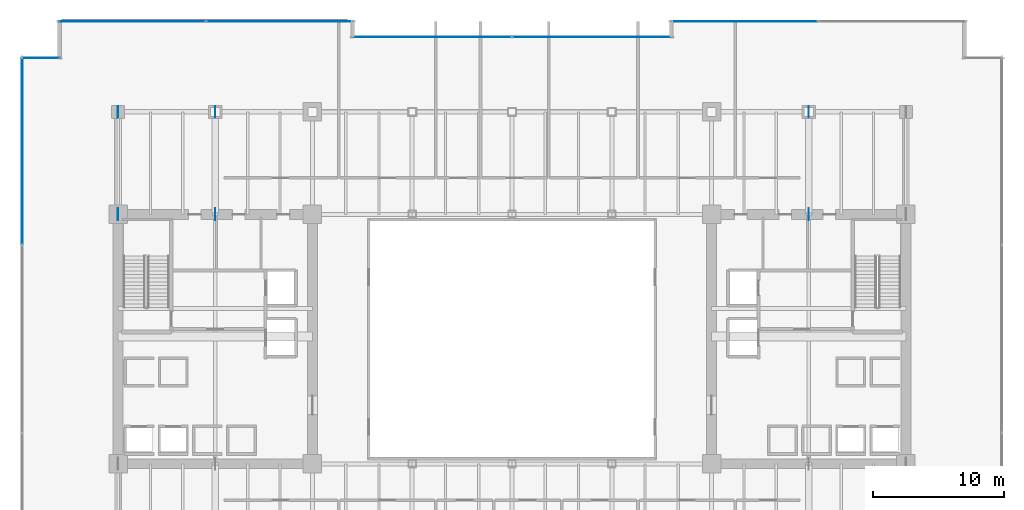
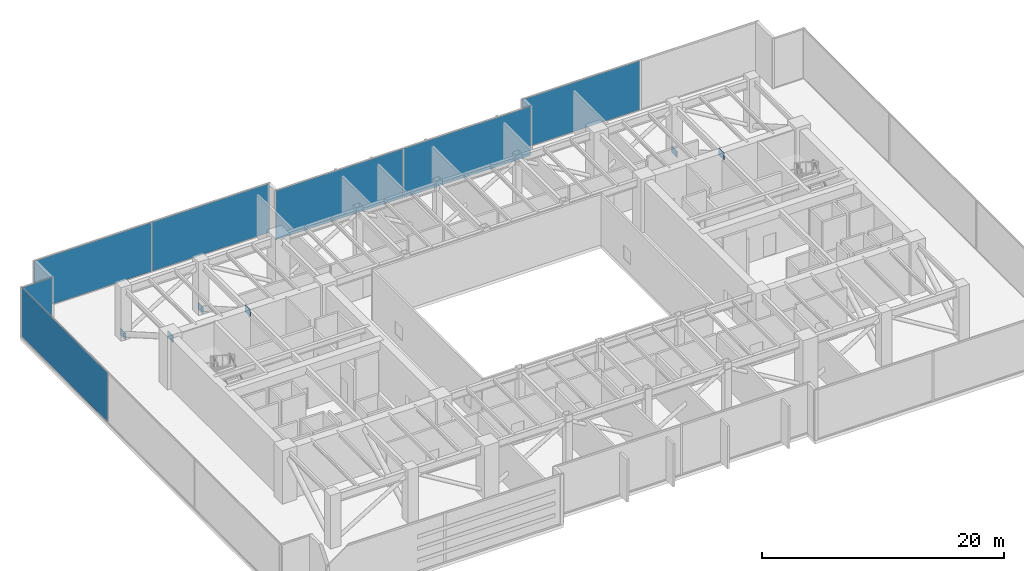
# One storey, part 30 of 38: 13 plates, 5 elements without a shape of their own.
"""IFC4 building model written with IfcOpenShell, lengths in metres."""

import ifcopenshell
import ifcopenshell.guid

model = None  # the IFC model being written
_history = None  # IfcOwnerHistory: only IFC2X3 demands one
_inside = {}  # id of a spatial element -> (the spatial element, [elements in it])
_under = {}  # id of a project, library or spatial element -> (it, [spatial elements below it])
_declared = {}  # id of a project -> (the project, [libraries it declares])
_typed = {}  # id of a type object -> (the type object, [elements of that type])
_made_of = {}  # id of a material, layer set ... -> (it, [elements and type objects made of it])


def new_model(schema):
    """Start an empty IFC model of exactly this schema.

    Asked for "IFC4X3", IfcOpenShell would pick the latest addendum, in which some entities
    have other attributes; the version numbers below select the first issue.
    IFC2X3 requires an IfcOwnerHistory on every rooted entity: one is made here for all.
    """
    global model, _history
    if schema == "IFC4X3":
        model = ifcopenshell.file(schema_version=(4, 3, 0, 0))
    else:
        model = ifcopenshell.file(schema=schema)
    _inside.clear()
    _under.clear()
    _declared.clear()
    _typed.clear()
    _made_of.clear()
    _history = None
    if model.schema == "IFC2X3":
        org = make("IfcOrganization", Name="unknown")
        user = make(
            "IfcPersonAndOrganization",
            ThePerson=make("IfcPerson", FamilyName="unknown"),
            TheOrganization=org,
        )
        app = make(
            "IfcApplication",
            ApplicationDeveloper=org,
            Version="unknown",
            ApplicationFullName="unknown",
            ApplicationIdentifier="unknown",
        )
        _history = make(
            "IfcOwnerHistory",
            OwningUser=user,
            OwningApplication=app,
            ChangeAction="ADDED",
            CreationDate=0,
        )
    return model


def make(cls, **values):
    """One entity of the class cls with the attributes given. An attribute that is None is left unset."""
    return model.create_entity(
        cls, **{name: value for name, value in values.items() if value is not None}
    )


def rooted(cls, **values):
    """An entity with a GlobalId (a new one), such as an element, a storey or a relation."""
    return make(cls, GlobalId=ifcopenshell.guid.new(), OwnerHistory=_history, **values)


def si_unit(unit_type, name, prefix=None):
    """IfcSIUnit, for example si_unit("LENGTHUNIT", "METRE", prefix="MILLI")."""
    return make("IfcSIUnit", UnitType=unit_type, Prefix=prefix, Name=name)


def assignment(units):
    """IfcUnitAssignment: the units of a project."""
    return None if units is None else make("IfcUnitAssignment", Units=units)


def point(xyz):
    """IfcCartesianPoint."""
    return None if xyz is None else make("IfcCartesianPoint", Coordinates=xyz)


def direction(xyz):
    """IfcDirection."""
    return None if xyz is None else make("IfcDirection", DirectionRatios=xyz)


def frame(location, z_axis=None, x_axis=None):
    """IfcAxis2Placement3D, a coordinate frame: its origin and axes. An axis left out is left unset."""
    return make(
        "IfcAxis2Placement3D",
        Location=point(location),
        Axis=direction(z_axis),
        RefDirection=direction(x_axis),
    )


def frame_2d(location, x_axis=None):
    """IfcAxis2Placement2D, a coordinate frame in the plane: its origin and x axis."""
    return make(
        "IfcAxis2Placement2D", Location=point(location), RefDirection=direction(x_axis)
    )


def origin():
    """The frame at (0, 0, 0) with its axes left unset."""
    return frame((0.0, 0.0, 0.0))


def origin_2d():
    """The frame at (0, 0) in the plane with its x axis left unset."""
    return frame_2d((0.0, 0.0))


def place(relative_to, where):
    """IfcLocalPlacement: puts the frame where relative to a parent placement (None: the world)."""
    return make(
        "IfcLocalPlacement", PlacementRelTo=relative_to, RelativePlacement=where
    )


def context(
    kind, dimensions, precision=None, world=None, true_north=None, identifier=None
):
    """IfcGeometricRepresentationContext, for example the 3D "Model" context."""
    return make(
        "IfcGeometricRepresentationContext",
        ContextIdentifier=identifier,
        ContextType=kind,
        CoordinateSpaceDimension=dimensions,
        Precision=precision,
        WorldCoordinateSystem=world,
        TrueNorth=true_north,
    )


def subcontext(parent, identifier, kind, view, scale=None):
    """IfcGeometricRepresentationSubContext, for example "Body" below "Model"."""
    return make(
        "IfcGeometricRepresentationSubContext",
        ContextIdentifier=identifier,
        ContextType=kind,
        ParentContext=parent,
        TargetScale=scale,
        TargetView=view,
    )


def project(units=None, contexts=None):
    """IfcProject with its units and contexts."""
    return rooted(
        "IfcProject",
        Name="project",
        RepresentationContexts=contexts,
        UnitsInContext=assignment(units),
    )


def spatial(cls, under=None, at=None, **own):
    """A site, building, storey or space (cls), placed at a placement, below another one or the project."""
    s = rooted(cls, ObjectPlacement=at, **own)
    if under is not None:
        _under.setdefault(under.id(), (under, []))[1].append(s)
    return s


def profile(cls, at=None, kind="AREA", **sizes):
    """A parametric profile (cls). Its sizes go by their IFC names, for example OverallWidth=200.0."""
    return make(cls, ProfileType=kind, Position=at, **sizes)


def rectangle(**sizes):
    """IfcRectangleProfileDef."""
    return profile("IfcRectangleProfileDef", **sizes)


def extrude(swept, where, along, depth):
    """IfcExtrudedAreaSolid: the profile swept, set in the frame where, extruded along a direction by depth."""
    return make(
        "IfcExtrudedAreaSolid",
        SweptArea=swept,
        Position=where,
        ExtrudedDirection=direction(along),
        Depth=depth,
    )


def shape(context_of_items, identifier, shape_type, items):
    """IfcShapeRepresentation: the items that make up one representation, for example the "Body"."""
    return make(
        "IfcShapeRepresentation",
        ContextOfItems=context_of_items,
        RepresentationIdentifier=identifier,
        RepresentationType=shape_type,
        Items=items,
    )


def source(mapping_origin, context_of_items, identifier, shape_type, items):
    """IfcRepresentationMap: a shape defined once, which mapped items show again and again."""
    return make(
        "IfcRepresentationMap",
        MappingOrigin=mapping_origin,
        MappedRepresentation=shape(context_of_items, identifier, shape_type, items),
    )


def transform(
    local_origin,
    x_axis=None,
    y_axis=None,
    z_axis=None,
    scale=None,
    scale2=None,
    scale3=None,
    uniform=True,
):
    """IfcCartesianTransformationOperator3D, or its non-uniform kind. x_axis, y_axis, z_axis: its Axis1, 2, 3."""
    if uniform:
        return make(
            "IfcCartesianTransformationOperator3D",
            Axis1=direction(x_axis),
            Axis2=direction(y_axis),
            LocalOrigin=point(local_origin),
            Scale=scale,
            Axis3=direction(z_axis),
        )
    return make(
        "IfcCartesianTransformationOperator3DnonUniform",
        Axis1=direction(x_axis),
        Axis2=direction(y_axis),
        LocalOrigin=point(local_origin),
        Scale=scale,
        Axis3=direction(z_axis),
        Scale2=scale2,
        Scale3=scale3,
    )


def mapped(mapping_source, mapping_target):
    """IfcMappedItem: shows the shape of a source again, moved by a transform."""
    return make(
        "IfcMappedItem", MappingSource=mapping_source, MappingTarget=mapping_target
    )


def material(Name=None, Category=None):
    """IfcMaterial."""
    return make("IfcMaterial", Name=Name, Category=Category)


def layer(
    of_material, thickness, ventilated=None, Name=None, Category=None, Priority=None
):
    """IfcMaterialLayer: one layer of a wall or slab, of a material (None: an air gap)."""
    return make(
        "IfcMaterialLayer",
        Material=of_material,
        LayerThickness=thickness,
        IsVentilated=ventilated,
        Name=Name,
        Category=Category,
        Priority=Priority,
    )


def layer_set(layers, Name=None):
    """IfcMaterialLayerSet."""
    return make("IfcMaterialLayerSet", MaterialLayers=layers, LayerSetName=Name)


def made_of(thing, what):
    """Note that an element or type object is made of a material, layer set ...; save() writes the relation."""
    if what is not None:
        _made_of.setdefault(what.id(), (what, []))[1].append(thing)
    return thing


def type_object(cls, material=None, **own):
    """A type object (cls), such as IfcWallType, which elements share."""
    return made_of(rooted(cls, **own), material)


def type_shapes(of_type, sources):
    """Give a type object the sources (RepresentationMaps) that its elements show as mapped items."""
    of_type.RepresentationMaps = sources


def element(
    cls,
    number,
    at=None,
    inside=None,
    cuts=None,
    type_object=None,
    material=None,
    context=None,
    identifier="Body",
    shape_type=None,
    held_by="IfcProductDefinitionShape",
    body=None,
    shapes=None,
    **own,
):
    """One element of the class cls, such as IfcWall. Its Tag is "e" and its number.

    at: its placement. inside: the storey or other place that contains it. cuts: it is an
    opening in that element (IfcRelVoidsElement). A single representation is given by context,
    identifier, shape_type and body (its items); several are given by shapes. held_by: the class
    of the entity that holds the representations. save() writes the other relations.
    """
    e = rooted(cls, Tag="e%d" % number, ObjectPlacement=at, **own)
    if body is not None:
        shapes = [shape(context, identifier, shape_type, body)]
    if shapes is not None:
        e.Representation = make(held_by, Representations=shapes)
    if inside is not None:
        _inside.setdefault(inside.id(), (inside, []))[1].append(e)
    if cuts is not None:
        rooted(
            "IfcRelVoidsElement", RelatingBuildingElement=cuts, RelatedOpeningElement=e
        )
    if type_object is not None:
        _typed.setdefault(type_object.id(), (type_object, []))[1].append(e)
    return made_of(e, material)


def aggregate(whole, parts):
    """IfcRelAggregates: a whole, such as a stair, and the parts it consists of."""
    return rooted("IfcRelAggregates", RelatingObject=whole, RelatedObjects=parts)


def save(model, path):
    """Write the relations noted so far, then the file.

    IfcRelAggregates (storeys below a building ...), IfcRelContainedInSpatialStructure (elements
    in a storey), IfcRelDefinesByType, IfcRelAssociatesMaterial and IfcRelDeclares: one each for
    every whole, place, type object, material and project.
    """
    for whole, parts in _under.values():
        aggregate(whole, parts)
    for where, things in _inside.values():
        rooted(
            "IfcRelContainedInSpatialStructure",
            RelatedElements=things,
            RelatingStructure=where,
        )
    for kind, things in _typed.values():
        rooted("IfcRelDefinesByType", RelatedObjects=things, RelatingType=kind)
    for what, things in _made_of.values():
        rooted("IfcRelAssociatesMaterial", RelatedObjects=things, RelatingMaterial=what)
    for by, libraries in _declared.values():
        rooted("IfcRelDeclares", RelatingContext=by, RelatedDefinitions=libraries)
    model.write(path)


model = new_model("IFC4")

# Units and contexts
model_context = context("Model", 3, precision=1e-05, world=origin(), true_north=direction((0.0, 1.0)))
body_context = subcontext(model_context, "Body", "Model", "MODEL_VIEW")
ifc_project = project(units=[si_unit("LENGTHUNIT", "METRE"), si_unit("AREAUNIT", "SQUARE_METRE"), si_unit("VOLUMEUNIT", "CUBIC_METRE"), si_unit("PLANEANGLEUNIT", "RADIAN"), si_unit("MASSUNIT", "GRAM", prefix="KILO")], contexts=[model_context])

# Site, building, storey
site_placement = place(None, origin())
site = spatial("IfcSite", under=ifc_project, at=site_placement, CompositionType="ELEMENT")
building_placement = place(site_placement, origin())
building = spatial("IfcBuilding", under=site, at=building_placement, Name="Haelvirn Gate Laboratories", CompositionType="ELEMENT")
storey_placement = place(building_placement, frame((0.0, 0.0, 94.89990234375)))
storey = spatial("IfcBuildingStorey", under=building, at=storey_placement, Name="L23", CompositionType="ELEMENT", Elevation=94.89990234375)

# Plates
ifc_material_1 = material(Name="Steel SM420", Category="steel")
ifc_layer_1 = layer(ifc_material_1, 0.031982421875, Name="PL-NODE-ON1")
ifc_layer_set_1 = layer_set([ifc_layer_1], Name="Steel SM420")
plate_type_1 = type_object("IfcPlateType", Name="PL-NODE-ON1", PredefinedType="USERDEFINED", material=ifc_layer_set_1)
shared_shape_1 = source(origin(), body_context, "Body", "SweptSolid", [
    extrude(rectangle(XDim=0.89990234375, YDim=0.031982421875, at=origin_2d()), origin(), (0.0, 0.0, 1.0), 0.699951171875),
])
type_shapes(plate_type_1, [shared_shape_1])
for number, where, z_axis, x_axis, name in (
    (1, (7.39990234375, 33.800048828125, 4.39013671875), (0.0, 0.0, 1.0), (0.0, 1.0, 0.0), "L23 Steel Truss Node Plate ON1"),
    (2, (7.39990234375, 41.60009765625, -0.10009765625), (0.0, 0.0, 1.0), (0.0, 1.0, 0.0), "L23 Steel Truss Node Plate ON1"),
    (3, (14.800048828125, 33.800048828125, 4.39013671875), (0.0, 0.0, 1.0), (0.0, 1.0, 0.0), "L23 Steel Truss Node Plate ON1"),
    (4, (14.800048828125, 41.60009765625, -0.10009765625), (0.0, 0.0, 1.0), (0.0, 1.0, 0.0), "L23 Steel Truss Node Plate ON1"),
    (5, (60.0, 33.800048828125, 4.39013671875), (0.0, 0.0, 1.0), (0.0, 1.0, 0.0), "L23 Steel Truss Node Plate ON1"),
    (6, (60.0, 41.60009765625, -0.10009765625), (0.0, 0.0, 1.0), (0.0, 1.0, 0.0), "L23 Steel Truss Node Plate ON1"),
):
    element("IfcPlate", number, at=place(storey_placement, frame(where, z_axis=z_axis, x_axis=x_axis)), inside=storey, type_object=plate_type_1, Name=name, ObjectType="GUSSET_PLATE", PredefinedType="USERDEFINED", context=body_context, shape_type="MappedRepresentation", body=[
        mapped(shared_shape_1, transform((0.0, 0.0, 0.0), scale=1.0)),
    ])

# Curtain wall, plate
ifc_material_2 = material(Name="Anodised bronze unitised aluminium & triple low-E glass", Category="aluminium")
ifc_layer_2 = layer(ifc_material_2, 0.18408203125, Name="CW-SYS-2")
ifc_layer_set_2 = layer_set([ifc_layer_2], Name="Anodised bronze unitised aluminium & triple low-E glass")
curtain_wall_type_1 = type_object("IfcCurtainWallType", Name="CW-SYS-2", PredefinedType="NOTDEFINED", material=ifc_layer_set_2)
curtain_wall_1_placement = place(storey_placement, origin())
curtain_wall_1 = element("IfcCurtainWall", 7, at=curtain_wall_1_placement, inside=storey, type_object=curtain_wall_type_1, Name="L23 Unitised Curtain Wall CW-L23-P0-E10-1", PredefinedType="NOTDEFINED")
ifc_material_3 = material(Name="Bronze solar-control triple low-E IGU 44 mm", Category="glass")
ifc_layer_3 = layer(ifc_material_3, 0.0439453125, Name="CWP-IGU-44")
ifc_layer_set_3 = layer_set([ifc_layer_3], Name="Bronze solar-control triple low-E IGU 44 mm")
plate_type_2 = type_object("IfcPlateType", Name="CWP-IGU-44", PredefinedType="CURTAIN_PANEL", material=ifc_layer_set_3)
shared_shape_2 = source(origin(), body_context, "Body", "SweptSolid", [
    extrude(rectangle(XDim=11.1875, YDim=0.0439453125, at=origin_2d()), origin(), (0.0, 0.0, 1.0), 4.949951171875),
])
plate_1_placement = place(storey_placement, frame((55.06884765625, 48.5, 0.0703125), z_axis=(0.0, 0.0, 1.0), x_axis=(1.0, 0.0, 0.0)))
plate_1 = element("IfcPlate", 8, at=plate_1_placement, type_object=plate_type_2, Name="CW2 panel 1.1", PredefinedType="CURTAIN_PANEL", context=body_context, shape_type="MappedRepresentation", body=[
    mapped(shared_shape_2, transform((0.0, 0.0, 0.0), scale=1.0)),
])
aggregate(curtain_wall_1, [plate_1])

# Curtain wall, plates
curtain_wall_2_placement = place(storey_placement, origin())
curtain_wall_2 = element("IfcCurtainWall", 9, at=curtain_wall_2_placement, inside=storey, type_object=curtain_wall_type_1, Name="L23 Unitised Curtain Wall CW-L23-P0-E14-1", PredefinedType="NOTDEFINED")
plate_2_placement = place(storey_placement, frame((8.46875, 48.5, 0.0703125), z_axis=(0.0, 0.0, 1.0), x_axis=(1.0, 0.0, 0.0)))
plate_2 = element("IfcPlate", 10, at=plate_2_placement, type_object=plate_type_2, Name="CW2 panel 1.1", PredefinedType="CURTAIN_PANEL", context=body_context, shape_type="MappedRepresentation", body=[
    mapped(shared_shape_2, transform((0.0, 0.0, 0.0), scale=1.0)),
])
plate_3_placement = place(storey_placement, frame((19.731201171875, 48.5, 0.0703125), z_axis=(0.0, 0.0, 1.0), x_axis=(1.0, 0.0, 0.0)))
plate_3 = element("IfcPlate", 11, at=plate_3_placement, type_object=plate_type_2, Name="CW2 panel 2.1", PredefinedType="CURTAIN_PANEL", context=body_context, shape_type="MappedRepresentation", body=[
    mapped(shared_shape_2, transform((0.0, 0.0, 0.0), scale=1.0)),
])
aggregate(curtain_wall_2, [plate_2, plate_3])

curtain_wall_3_placement = place(storey_placement, origin())
curtain_wall_3 = element("IfcCurtainWall", 12, at=curtain_wall_3_placement, inside=storey, type_object=curtain_wall_type_1, Name="L23 Unitised Curtain Wall CW-L23-P0-E12-1", PredefinedType="NOTDEFINED")
shared_shape_3 = source(origin(), body_context, "Body", "SweptSolid", [
    extrude(rectangle(XDim=12.12744140625, YDim=0.0439453125, at=origin_2d()), origin(), (0.0, 0.0, 1.0), 4.949951171875),
])
plate_4_placement = place(storey_placement, frame((31.298828125, 47.300048828125, 0.0703125), z_axis=(0.0, 0.0, 1.0), x_axis=(1.0, 0.0, 0.0)))
plate_4 = element("IfcPlate", 13, at=plate_4_placement, type_object=plate_type_2, Name="CW2 panel 1.1", PredefinedType="CURTAIN_PANEL", context=body_context, shape_type="MappedRepresentation", body=[
    mapped(shared_shape_3, transform((0.0, 0.0, 0.0), scale=1.0)),
])
plate_5_placement = place(storey_placement, frame((43.501220703125, 47.300048828125, 0.0703125), z_axis=(0.0, 0.0, 1.0), x_axis=(1.0, 0.0, 0.0)))
plate_5 = element("IfcPlate", 14, at=plate_5_placement, type_object=plate_type_2, Name="CW2 panel 2.1", PredefinedType="CURTAIN_PANEL", context=body_context, shape_type="MappedRepresentation", body=[
    mapped(shared_shape_3, transform((0.0, 0.0, 0.0), scale=1.0)),
])
aggregate(curtain_wall_3, [plate_4, plate_5])

# Curtain wall, plate
ifc_layer_4 = layer(ifc_material_2, 0.181884765625, Name="CW-SYS-5")
ifc_layer_set_4 = layer_set([ifc_layer_4], Name="Anodised bronze unitised aluminium & triple low-E glass")
curtain_wall_type_2 = type_object("IfcCurtainWallType", Name="CW-SYS-5", PredefinedType="NOTDEFINED", material=ifc_layer_set_4)
curtain_wall_4_placement = place(storey_placement, origin())
curtain_wall_4 = element("IfcCurtainWall", 15, at=curtain_wall_4_placement, inside=storey, type_object=curtain_wall_type_2, Name="L23 Unitised Curtain Wall CW-L23-P0-E16-1", PredefinedType="NOTDEFINED")
ifc_material_4 = material(Name="Clear low-iron notched-corner triple IGU 42 mm", Category="glass")
ifc_layer_5 = layer(ifc_material_4, 0.0419921875, Name="CWP-NTC-42")
ifc_layer_set_5 = layer_set([ifc_layer_5], Name="Clear low-iron notched-corner triple IGU 42 mm")
plate_type_3 = type_object("IfcPlateType", Name="CWP-NTC-42", PredefinedType="CURTAIN_PANEL", material=ifc_layer_set_5)
shared_shape_4 = source(origin(), body_context, "Body", "SweptSolid", [
    extrude(rectangle(XDim=2.8798828125, YDim=0.0419921875, at=origin_2d()), origin(), (0.0, 0.0, 1.0), 4.9599609375),
])
type_shapes(plate_type_3, [shared_shape_4])
plate_6_placement = place(storey_placement, frame((1.52001953125, 45.699951171875, 0.065185546875), z_axis=(0.0, 0.0, 1.0), x_axis=(1.0, 0.0, 0.0)))
plate_6 = element("IfcPlate", 16, at=plate_6_placement, type_object=plate_type_3, Name="CW5 panel 1.1", PredefinedType="CURTAIN_PANEL", context=body_context, shape_type="MappedRepresentation", body=[
    mapped(shared_shape_4, transform((0.0, 0.0, 0.0), scale=1.0)),
])
aggregate(curtain_wall_4, [plate_6])

curtain_wall_5_placement = place(storey_placement, origin())
curtain_wall_5 = element("IfcCurtainWall", 17, at=curtain_wall_5_placement, inside=storey, type_object=curtain_wall_type_1, Name="L23 Unitised Curtain Wall CW-L23-P0-E17", PredefinedType="NOTDEFINED")
shared_shape_5 = source(origin(), body_context, "Body", "SweptSolid", [
    extrude(rectangle(XDim=14.220947265625, YDim=0.0439453125, at=origin_2d()), origin(), (0.0, 0.0, 1.0), 4.949951171875),
])
type_shapes(plate_type_2, [shared_shape_2, shared_shape_3, shared_shape_5])
plate_7_placement = place(storey_placement, frame((0.10009765625, 38.614501953125, 0.0703125), z_axis=(0.0, 0.0, 1.0), x_axis=(0.0, -1.0, 0.0)))
plate_7 = element("IfcPlate", 18, at=plate_7_placement, type_object=plate_type_2, Name="CW2 panel 1.1", PredefinedType="CURTAIN_PANEL", context=body_context, shape_type="MappedRepresentation", body=[
    mapped(shared_shape_5, transform((0.0, 0.0, 0.0), scale=1.0)),
])
aggregate(curtain_wall_5, [plate_7])

save(model, "model.ifc")
